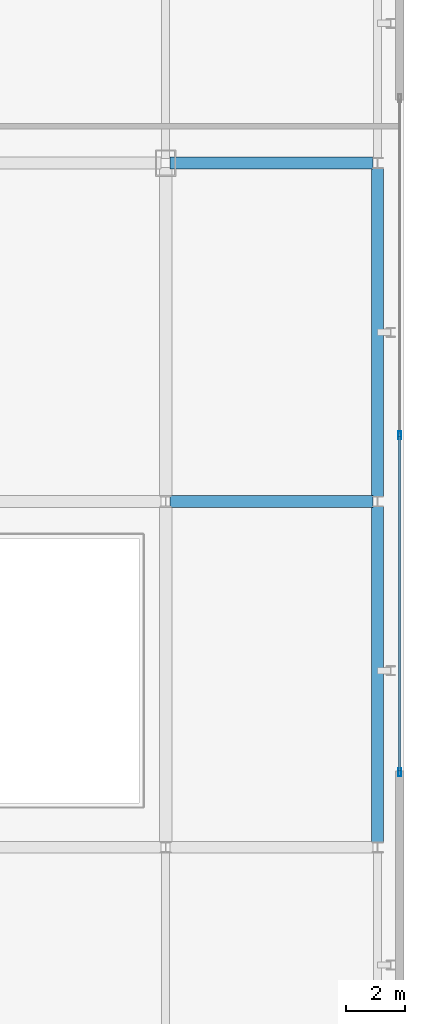
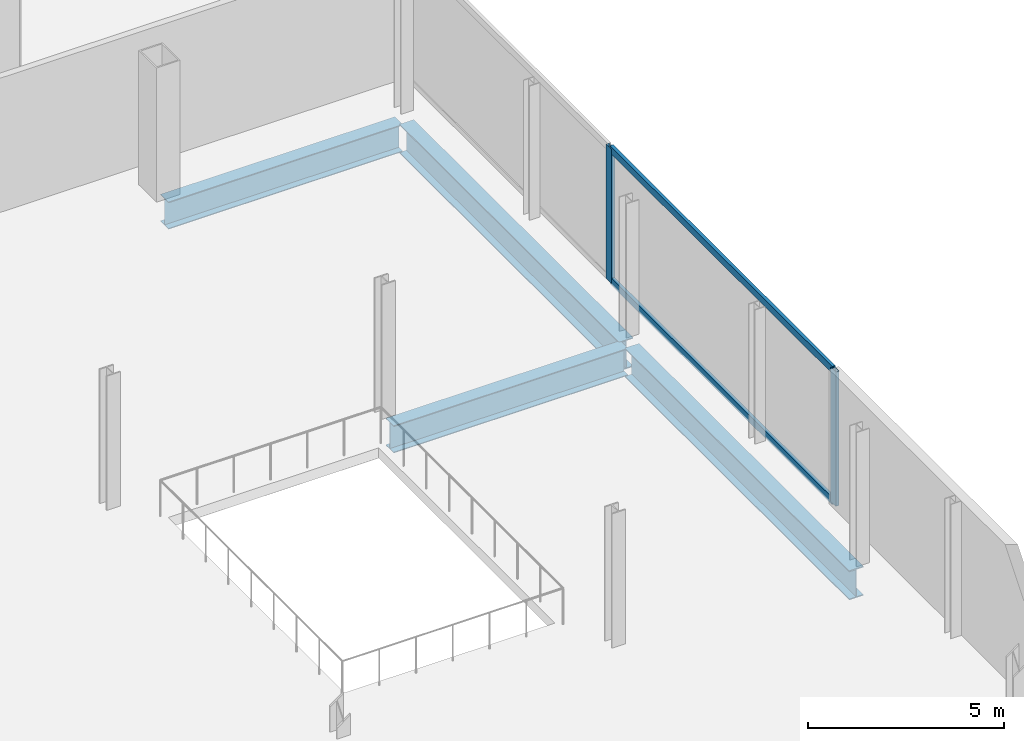
# One storey, part 16 of 26: 4 beams, 4 members, 1 element without a shape of its own.
"""IFC4 building model written with IfcOpenShell, lengths in metres."""

from ifc_helpers import new_model, si_unit, direction, frame, origin, origin_2d, place, context, subcontext, project, spatial, hollow_rectangle, i_section, extrude, source, transform, mapped, material, layer, layer_set, material_profile, profile_set, type_object, element, aggregate, save


model = new_model("IFC4")

# Units and contexts
model_context = context("Model", 3, precision=1e-05, world=origin(), true_north=direction((0.0, 1.0)))
body_context = subcontext(model_context, "Body", "Model", "MODEL_VIEW")
ifc_project = project(units=[si_unit("LENGTHUNIT", "METRE"), si_unit("AREAUNIT", "SQUARE_METRE"), si_unit("VOLUMEUNIT", "CUBIC_METRE"), si_unit("PLANEANGLEUNIT", "RADIAN"), si_unit("MASSUNIT", "GRAM", prefix="KILO")], contexts=[model_context])

# Site, building, storey
site_placement = place(None, origin())
site = spatial("IfcSite", under=ifc_project, at=site_placement, CompositionType="ELEMENT")
building_placement = place(site_placement, origin())
building = spatial("IfcBuilding", under=site, at=building_placement, Name="Kolveth Station Tower", CompositionType="ELEMENT")
storey_placement = place(building_placement, frame((0.0, 0.0, 4.5)))
storey = spatial("IfcBuildingStorey", under=building, at=storey_placement, Name="L01", CompositionType="ELEMENT", Elevation=4.5)

# Beams
ifc_material_1 = material(Name="Steel S355", Category="steel")
ifc_material_profile_1 = material_profile(ifc_material_1, i_section(OverallWidth=0.40087890625, OverallDepth=0.85107421875, WebThickness=0.01611328125, FlangeThickness=0.025390625, at=origin_2d()), Name="W840x226")
ifc_profile_set_1 = profile_set([ifc_material_profile_1], Name="Steel S355")
beam_type_1 = type_object("IfcBeamType", Name="Beam_B2", PredefinedType="BEAM", material=ifc_profile_set_1)
shared_shape_1 = source(origin(), body_context, "Body", "SweptSolid", [
    extrude(i_section(OverallWidth=0.40087890625, OverallDepth=0.85107421875, WebThickness=0.01611328125, FlangeThickness=0.025390625, at=origin_2d()), origin(), (0.0, 0.0, 1.0), 6.900146484375),
])
for number, where, z_axis, x_axis, name in (
    (1, (63.64990234375, 17.25, -0.74560546875), (1.0, 0.0, 0.0), (0.0, 1.0, 0.0), "L01 Station Portal Girder SBM-L01-EW-4-3"),
    (2, (63.64990234375, 28.75, -0.74560546875), (1.0, 0.0, 0.0), (0.0, 1.0, 0.0), "L01 Station Portal Girder SBM-L01-EW-5-3"),
):
    element("IfcBeam", number, at=place(storey_placement, frame(where, z_axis=z_axis, x_axis=x_axis)), inside=storey, type_object=beam_type_1, Name=name, PredefinedType="BEAM", context=body_context, shape_type="MappedRepresentation", body=[
        mapped(shared_shape_1, transform((0.0, 0.0, 0.0), x_axis=(1.0, 0.0, 0.0), y_axis=(0.0, 1.0, 0.0), z_axis=(0.0, 0.0, 1.0), scale=1.0)),
    ])
ifc_material_profile_2 = material_profile(ifc_material_1, i_section(OverallWidth=0.41796875, OverallDepth=0.912109375, WebThickness=0.019287109375, FlangeThickness=0.031982421875, at=origin_2d()), Name="W920x342")
ifc_profile_set_2 = profile_set([ifc_material_profile_2], Name="Steel S355")
beam_type_2 = type_object("IfcBeamType", Name="Beam_B1", PredefinedType="BEAM", material=ifc_profile_set_2)
shared_shape_2 = source(origin(), body_context, "Body", "SweptSolid", [
    extrude(i_section(OverallWidth=0.41796875, OverallDepth=0.912109375, WebThickness=0.019287109375, FlangeThickness=0.031982421875, at=origin_2d()), origin(), (0.0, 0.0, 1.0), 11.4501953125),
])
beam_1_placement = place(storey_placement, frame((70.699951171875, 5.64990234375, -0.77587890625), z_axis=(0.0, 1.0, 0.0), x_axis=(-1.0, 0.0, 0.0)))
element("IfcBeam", 3, at=beam_1_placement, inside=storey, type_object=beam_type_2, Name="L01 Station Spine Girder SBM-L01-NS-4-3", PredefinedType="BEAM", context=body_context, shape_type="MappedRepresentation", body=[
    mapped(shared_shape_2, transform((0.0, 0.0, 0.0), x_axis=(1.0, 0.0, 0.0), y_axis=(0.0, 1.0, 0.0), z_axis=(0.0, 0.0, 1.0), scale=1.0)),
])
shared_shape_3 = source(origin(), body_context, "Body", "SweptSolid", [
    extrude(i_section(OverallWidth=0.41796875, OverallDepth=0.912109375, WebThickness=0.019287109375, FlangeThickness=0.031982421875, at=origin_2d()), origin(), (0.0, 0.0, 1.0), 11.2001953125),
])
beam_2_placement = place(storey_placement, frame((70.699951171875, 17.39990234375, -0.77587890625), z_axis=(0.0, 1.0, 0.0), x_axis=(-1.0, 0.0, 0.0)))
element("IfcBeam", 4, at=beam_2_placement, inside=storey, type_object=beam_type_2, Name="L01 Station Spine Girder SBM-L01-NS-4-4", PredefinedType="BEAM", context=body_context, shape_type="MappedRepresentation", body=[
    mapped(shared_shape_3, transform((0.0, 0.0, 0.0), x_axis=(1.0, 0.0, 0.0), y_axis=(0.0, 1.0, 0.0), z_axis=(0.0, 0.0, 1.0), scale=1.0)),
])

# Curtain wall, members
ifc_material_2 = material(Name="Black anodized aluminium 6063-T6 and clear station glass", Category="aluminium")
ifc_layer = layer(ifc_material_2, 0.239990234375)
ifc_layer_set = layer_set([ifc_layer], Name="Black anodized aluminium 6063-T6 and clear station glass")
curtain_wall_type = type_object("IfcCurtainWallType", Name="CurtainWall_CW-ST", PredefinedType="NOTDEFINED", material=ifc_layer_set)
curtain_wall_placement = place(storey_placement, origin())
curtain_wall = element("IfcCurtainWall", 5, at=curtain_wall_placement, inside=storey, type_object=curtain_wall_type, Name="L01 Station East Main Hall Curtain Wall", PredefinedType="NOTDEFINED")
ifc_material_3 = material(Name="Black anodized aluminium 6063-T6", Category="aluminium")
ifc_material_profile_3 = material_profile(ifc_material_3, hollow_rectangle(XDim=0.10009765625, YDim=0.280029296875, WallThickness=0.0048828125, at=origin_2d()), Name="ALU-100x280x5")
ifc_profile_set_3 = profile_set([ifc_material_profile_3], Name="Black anodized aluminium 6063-T6")
member_type_1 = type_object("IfcMemberType", Name="Mullion_ML-ST", PredefinedType="MULLION", material=ifc_profile_set_3)
shared_shape_4 = source(origin(), body_context, "Body", "SweptSolid", [
    extrude(hollow_rectangle(XDim=0.10009765625, YDim=0.280029296875, WallThickness=0.0048828125, at=origin_2d()), origin(), (0.0, 0.0, 1.0), 4.179931640625),
])
member_1_placement = place(storey_placement, frame((71.449951171875, 8.050048828125, 0.0), z_axis=(0.0, 0.0, 1.0), x_axis=(-1.0, 0.0, 0.0)))
member_1 = element("IfcMember", 6, at=member_1_placement, type_object=member_type_1, Name="CW-ST mullion 1", PredefinedType="MULLION", context=body_context, shape_type="MappedRepresentation", body=[
    mapped(shared_shape_4, transform((0.0, 0.0, 0.0), x_axis=(1.0, 0.0, 0.0), y_axis=(0.0, 1.0, 0.0), z_axis=(0.0, 0.0, 1.0), scale=1.0)),
])
member_2_placement = place(storey_placement, frame((71.449951171875, 19.5, 0.0), z_axis=(0.0, 0.0, 1.0), x_axis=(-1.0, 0.0, 0.0)))
member_2 = element("IfcMember", 7, at=member_2_placement, type_object=member_type_1, Name="CW-ST mullion 2", PredefinedType="MULLION", context=body_context, shape_type="MappedRepresentation", body=[
    mapped(shared_shape_4, transform((0.0, 0.0, 0.0), x_axis=(1.0, 0.0, 0.0), y_axis=(0.0, 1.0, 0.0), z_axis=(0.0, 0.0, 1.0), scale=1.0)),
])
ifc_material_profile_4 = material_profile(ifc_material_3, hollow_rectangle(XDim=0.094970703125, YDim=0.219970703125, WallThickness=0.0048828125, at=origin_2d()), Name="ALU-95x220x5")
ifc_profile_set_4 = profile_set([ifc_material_profile_4], Name="Black anodized aluminium 6063-T6")
member_type_2 = type_object("IfcMemberType", Name="Transom_TR-ST", PredefinedType="USERDEFINED", material=ifc_profile_set_4)
shared_shape_5 = source(origin(), body_context, "Body", "SweptSolid", [
    extrude(hollow_rectangle(XDim=0.094970703125, YDim=0.219970703125, WallThickness=0.0048828125, at=origin_2d()), origin(), (0.0, 0.0, 1.0), 11.349853515625),
])
member_3_placement = place(storey_placement, frame((71.449951171875, 8.10009765625, 0.047607421875), z_axis=(0.0, 1.0, 0.0), x_axis=(-1.0, 0.0, 0.0)))
member_3 = element("IfcMember", 8, at=member_3_placement, type_object=member_type_2, Name="CW-ST transom 1.1", ObjectType="TRANSOM", PredefinedType="USERDEFINED", context=body_context, shape_type="MappedRepresentation", body=[
    mapped(shared_shape_5, transform((0.0, 0.0, 0.0), x_axis=(1.0, 0.0, 0.0), y_axis=(0.0, 1.0, 0.0), z_axis=(0.0, 0.0, 1.0), scale=1.0)),
])
member_4_placement = place(storey_placement, frame((71.449951171875, 8.10009765625, 4.132568359375), z_axis=(0.0, 1.0, 0.0), x_axis=(-1.0, 0.0, 0.0)))
member_4 = element("IfcMember", 9, at=member_4_placement, type_object=member_type_2, Name="CW-ST transom 1.2", ObjectType="TRANSOM", PredefinedType="USERDEFINED", context=body_context, shape_type="MappedRepresentation", body=[
    mapped(shared_shape_5, transform((0.0, 0.0, 0.0), x_axis=(1.0, 0.0, 0.0), y_axis=(0.0, 1.0, 0.0), z_axis=(0.0, 0.0, 1.0), scale=1.0)),
])
aggregate(curtain_wall, [member_1, member_2, member_3, member_4])

save(model, "model.ifc")
